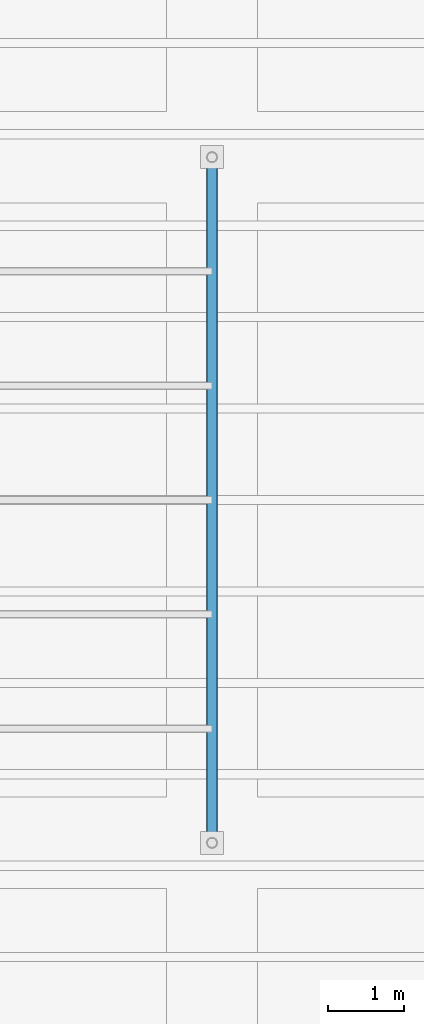
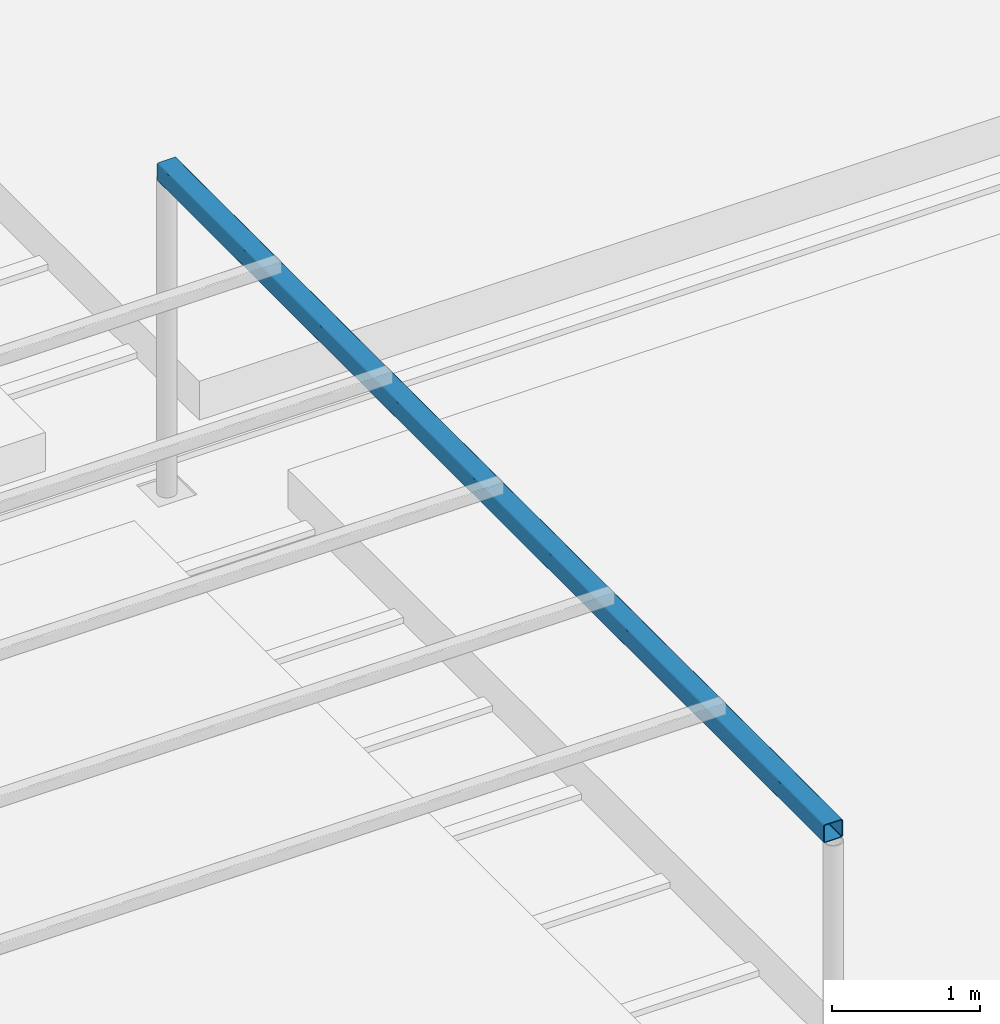
# One storey, part 85 of 153: 1 beam.
"""IFC4 building model written with IfcOpenShell, lengths in metres."""

from ifc_helpers import new_model, si_unit, direction, frame, origin, origin_2d, place, context, subcontext, project, spatial, hollow_rectangle, extrude, material, material_profile, profile_set, type_object, element, save


model = new_model("IFC4")

# Units and contexts
model_context = context("Model", 3, precision=1e-05, world=origin(), true_north=direction((0.0, 1.0)))
body_context = subcontext(model_context, "Body", "Model", "MODEL_VIEW")
ifc_project = project(units=[si_unit("LENGTHUNIT", "METRE"), si_unit("AREAUNIT", "SQUARE_METRE"), si_unit("VOLUMEUNIT", "CUBIC_METRE"), si_unit("PLANEANGLEUNIT", "RADIAN"), si_unit("MASSUNIT", "GRAM", prefix="KILO")], contexts=[model_context])

# Site, building, storey
site_placement = place(None, origin())
site = spatial("IfcSite", under=ifc_project, at=site_placement, CompositionType="ELEMENT")
building_placement = place(site_placement, origin())
building = spatial("IfcBuilding", under=site, at=building_placement, Name="Baradari Gate Terminus", CompositionType="ELEMENT")
storey_placement = place(building_placement, frame((0.0, 0.0, 11.699951171875)))
storey = spatial("IfcBuildingStorey", under=building, at=storey_placement, Name="L02", CompositionType="ELEMENT", Elevation=11.699951171875)

# Beam
ifc_material = material(Name="Steel S355", Category="steel")
ifc_material_profile = material_profile(ifc_material, hollow_rectangle(XDim=0.14990234375, YDim=0.14990234375, WallThickness=0.00634765625, InnerFilletRadius=0.00634765625, OuterFilletRadius=0.0126953125, at=origin_2d()), Name="SHS 150x150x6.3")
ifc_profile_set = profile_set([ifc_material_profile], Name="Steel S355")
beam_type = type_object("IfcBeamType", Name="Pergola beam SHS 150x150x6.3", PredefinedType="BEAM", material=ifc_profile_set)
beam_placement = place(storey_placement, frame((234.0, 90.0, 2.675048828125), z_axis=(0.0, 1.0, 0.0), x_axis=(-1.0, 0.0, 0.0)))
element("IfcBeam", 1, at=beam_placement, inside=storey, type_object=beam_type, Name="RF/L02/PGE3-PGB2", PredefinedType="BEAM", context=body_context, shape_type="SweptSolid", body=[
    extrude(hollow_rectangle(XDim=0.14990234375, YDim=0.14990234375, WallThickness=0.00634765625, InnerFilletRadius=0.00634765625, OuterFilletRadius=0.0126953125, at=origin_2d()), origin(), (0.0, 0.0, 1.0), 9.0),
])

save(model, "model.ifc")
